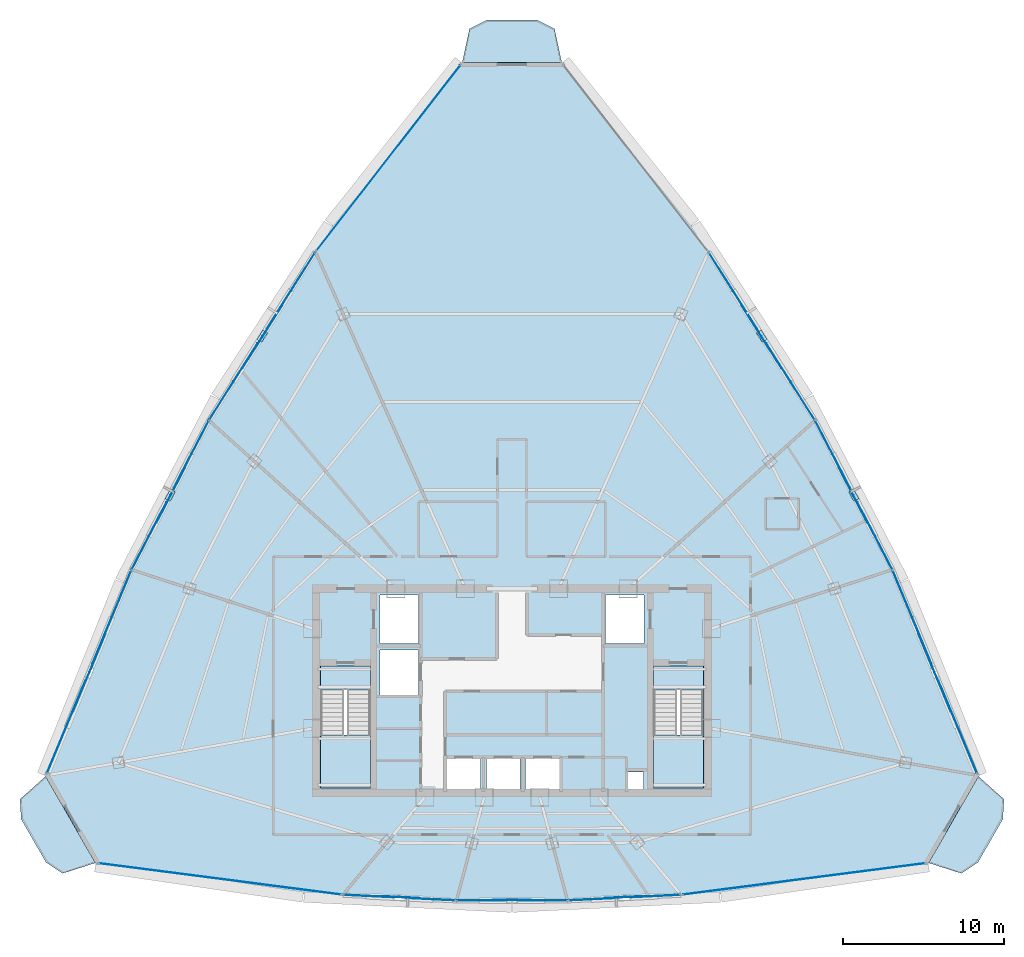
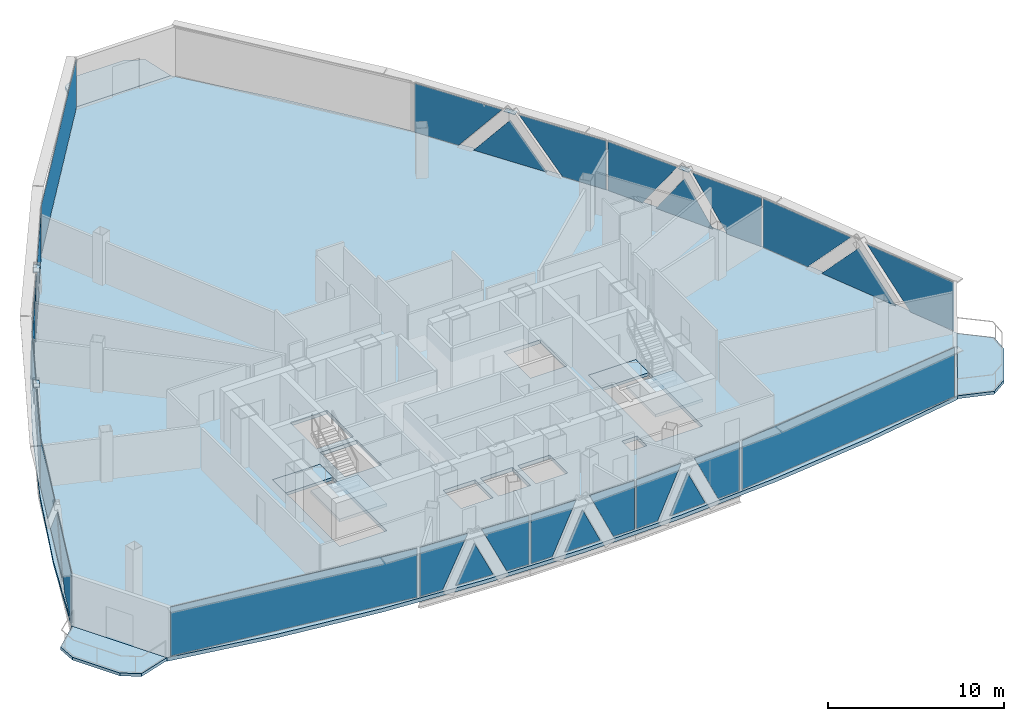
# One storey, part 26 of 33: 34 plates, 8 slabs, 14 elements without a shape of their own.
"""IFC4 building model written with IfcOpenShell, lengths in metres."""

from ifc_helpers import new_model, si_unit, direction, frame, origin, origin_2d, place, context, subcontext, project, spatial, polyline, rectangle, outline, extrude, source, transform, mapped, material, layer, layer_set, type_object, element, aggregate, save


model = new_model("IFC4")

# Units and contexts
model_context = context("Model", 3, precision=1e-05, world=origin(), true_north=direction((0.0, 1.0)))
body_context = subcontext(model_context, "Body", "Model", "MODEL_VIEW")
ifc_project = project(units=[si_unit("LENGTHUNIT", "METRE"), si_unit("AREAUNIT", "SQUARE_METRE"), si_unit("VOLUMEUNIT", "CUBIC_METRE"), si_unit("PLANEANGLEUNIT", "RADIAN"), si_unit("MASSUNIT", "GRAM", prefix="KILO"), si_unit("THERMODYNAMICTEMPERATUREUNIT", "KELVIN"), si_unit("POWERUNIT", "WATT")], contexts=[model_context])

# Site, building, storey
site_placement = place(None, origin())
site = spatial("IfcSite", under=ifc_project, at=site_placement, CompositionType="ELEMENT")
building_placement = place(site_placement, origin())
building = spatial("IfcBuilding", under=site, at=building_placement, Name="Yunzhuo Pagoda Commons", CompositionType="ELEMENT")
storey_placement = place(building_placement, frame((0.0, 0.0, 325.510009765625)))
storey = spatial("IfcBuildingStorey", under=building, at=storey_placement, Name="L81", CompositionType="ELEMENT", Elevation=325.510009765625)

# Curtain wall, plates
ifc_material_1 = material(Name="Anodized aluminium 6063-T6", Category="aluminium")
ifc_layer_1 = layer(ifc_material_1, 0.139892578125)
ifc_layer_set_1 = layer_set([ifc_layer_1], Name="Anodized aluminium 6063-T6")
curtain_wall_type = type_object("IfcCurtainWallType", Name="CW-HI High-Zone Ribbon Curtain Wall", PredefinedType="NOTDEFINED", material=ifc_layer_set_1)
curtain_wall_1_placement = place(storey_placement, origin())
curtain_wall_1 = element("IfcCurtainWall", 1, at=curtain_wall_1_placement, inside=storey, type_object=curtain_wall_type, Name="L81 curtain wall CW-L81-F1B2", PredefinedType="NOTDEFINED")
ifc_material_2 = material(Name="Tempered low-e double glazing", Category="glass")
ifc_layer_2 = layer(ifc_material_2, 0.02587890625)
ifc_layer_set_2 = layer_set([ifc_layer_2], Name="Tempered low-e double glazing")
plate_type_1 = type_object("IfcPlateType", Name="CW-HI-P Low-E Double Glazing 26", PredefinedType="CURTAIN_PANEL", material=ifc_layer_set_2)
plate_1_placement = place(storey_placement, frame((39.05908203125, 21.104736328125, 1.744873046875), z_axis=(-0.049850155702, -0.998756708101, 0.0), x_axis=(0.998756708101, -0.049850155702, 0.0)))
plate_1 = element("IfcPlate", 2, at=plate_1_placement, type_object=plate_type_1, Name="CW panel 1.1 lite 1", PredefinedType="CURTAIN_PANEL", context=body_context, shape_type="SweptSolid", body=[
    extrude(outline(polyline([(-1.514892578125, -1.68994140625), (-0.07861328125, -1.68994140625), (1.514892578125, 1.68994140625), (-1.514892578125, 1.68994140625), (-1.514892578125, -1.68994140625)])), origin(), (0.0, 0.0, 1.0), 0.028076171875),
])
plate_2_placement = place(storey_placement, frame((41.01904296875, 21.037109375, 1.326904296875), z_axis=(-0.049850155702, -0.998756708101, 0.0), x_axis=(0.998756708101, -0.049850155702, 0.0)))
plate_2 = element("IfcPlate", 3, at=plate_2_placement, type_object=plate_type_1, Name="CW panel 1.1 lite 2", PredefinedType="CURTAIN_PANEL", context=body_context, shape_type="SweptSolid", body=[
    extrude(outline(polyline([(-1.19921875, -1.27197265625), (1.19921875, -1.27197265625), (0.0, 1.27197265625), (-1.19921875, -1.27197265625)])), origin(), (0.0, 0.0, 1.0), 0.028076171875),
])
plate_3_placement = place(storey_placement, frame((42.975830078125, 20.909423828125, 1.744873046875), z_axis=(-0.049850155702, -0.998756708101, 0.0), x_axis=(0.998756708101, -0.049850155702, 0.0)))
plate_3 = element("IfcPlate", 4, at=plate_3_placement, type_object=plate_type_1, Name="CW panel 1.1 lite 3", PredefinedType="CURTAIN_PANEL", context=body_context, shape_type="SweptSolid", body=[
    extrude(outline(polyline([(-1.514892578125, 1.68994140625), (0.07861328125, -1.68994140625), (1.514892578125, -1.68994140625), (1.514892578125, 1.68994140625), (-1.514892578125, 1.68994140625)])), origin(), (0.0, 0.0, 1.0), 0.028076171875),
])
aggregate(curtain_wall_1, [plate_1, plate_2, plate_3])

curtain_wall_2_placement = place(storey_placement, origin())
curtain_wall_2 = element("IfcCurtainWall", 5, at=curtain_wall_2_placement, inside=storey, type_object=curtain_wall_type, Name="L81 curtain wall CW-L81-F1B3", PredefinedType="NOTDEFINED")
plate_4_placement = place(storey_placement, frame((46.082275390625, 20.8310546875, 1.744873046875), z_axis=(0.0, -1.0, 0.0), x_axis=(1.0, 0.0, 0.0)))
plate_4 = element("IfcPlate", 6, at=plate_4_placement, type_object=plate_type_1, Name="CW panel 1.1 lite 1", PredefinedType="CURTAIN_PANEL", context=body_context, shape_type="SweptSolid", body=[
    extrude(outline(polyline([(-1.47412109375, -1.68994140625), (-0.08154296875, -1.68994140625), (1.47412109375, 1.68994140625), (-1.47412109375, 1.68994140625), (-1.47412109375, -1.68994140625)])), origin(), (0.0, 0.0, 1.0), 0.028076171875),
])
plate_5_placement = place(storey_placement, frame((48.0, 20.86083984375, 1.31787109375), z_axis=(0.0, -1.0, 0.0), x_axis=(1.0, 0.0, 0.0)))
plate_5 = element("IfcPlate", 7, at=plate_5_placement, type_object=plate_type_1, Name="CW panel 1.1 lite 2", PredefinedType="CURTAIN_PANEL", context=body_context, shape_type="SweptSolid", body=[
    extrude(outline(polyline([(-1.16259765625, -1.262939453125), (1.16259765625, -1.262939453125), (0.0, 1.26318359375), (-1.16259765625, -1.262939453125)])), origin(), (0.0, 0.0, 1.0), 0.028076171875),
])
plate_6_placement = place(storey_placement, frame((49.917724609375, 20.8310546875, 1.744873046875), z_axis=(0.0, -1.0, 0.0), x_axis=(1.0, 0.0, 0.0)))
plate_6 = element("IfcPlate", 8, at=plate_6_placement, type_object=plate_type_1, Name="CW panel 1.1 lite 3", PredefinedType="CURTAIN_PANEL", context=body_context, shape_type="SweptSolid", body=[
    extrude(outline(polyline([(-1.47412109375, 1.68994140625), (0.08154296875, -1.68994140625), (1.47412109375, -1.68994140625), (1.47412109375, 1.68994140625), (-1.47412109375, 1.68994140625)])), origin(), (0.0, 0.0, 1.0), 0.028076171875),
])
aggregate(curtain_wall_2, [plate_4, plate_5, plate_6])

curtain_wall_3_placement = place(storey_placement, origin())
curtain_wall_3 = element("IfcCurtainWall", 9, at=curtain_wall_3_placement, inside=storey, type_object=curtain_wall_type, Name="L81 curtain wall CW-L81-F1B4", PredefinedType="NOTDEFINED")
plate_7_placement = place(storey_placement, frame((53.024169921875, 20.909423828125, 1.744873046875), z_axis=(0.049850155702, -0.998756708101, 0.0), x_axis=(0.998756708101, 0.049850155702, 0.0)))
plate_7 = element("IfcPlate", 10, at=plate_7_placement, type_object=plate_type_1, Name="CW panel 1.1 lite 1", PredefinedType="CURTAIN_PANEL", context=body_context, shape_type="SweptSolid", body=[
    extrude(outline(polyline([(-1.514892578125, -1.68994140625), (-0.07861328125, -1.68994140625), (1.514892578125, 1.68994140625), (-1.514892578125, 1.68994140625), (-1.514892578125, -1.68994140625)])), origin(), (0.0, 0.0, 1.0), 0.028076171875),
])
plate_8_placement = place(storey_placement, frame((54.98095703125, 21.037109375, 1.326904296875), z_axis=(0.049850155702, -0.998756708101, 0.0), x_axis=(0.998756708101, 0.049850155702, 0.0)))
plate_8 = element("IfcPlate", 11, at=plate_8_placement, type_object=plate_type_1, Name="CW panel 1.1 lite 2", PredefinedType="CURTAIN_PANEL", context=body_context, shape_type="SweptSolid", body=[
    extrude(outline(polyline([(-1.19921875, -1.27197265625), (1.19921875, -1.27197265625), (0.0, 1.27197265625), (-1.19921875, -1.27197265625)])), origin(), (0.0, 0.0, 1.0), 0.028076171875),
])
plate_9_placement = place(storey_placement, frame((56.94091796875, 21.104736328125, 1.744873046875), z_axis=(0.049850155702, -0.998756708101, 0.0), x_axis=(0.998756708101, 0.049850155702, 0.0)))
plate_9 = element("IfcPlate", 12, at=plate_9_placement, type_object=plate_type_1, Name="CW panel 1.1 lite 3", PredefinedType="CURTAIN_PANEL", context=body_context, shape_type="SweptSolid", body=[
    extrude(outline(polyline([(-1.514892578125, 1.68994140625), (0.07861328125, -1.68994140625), (1.514892578125, -1.68994140625), (1.514892578125, 1.68994140625), (-1.514892578125, 1.68994140625)])), origin(), (0.0, 0.0, 1.0), 0.028076171875),
])
aggregate(curtain_wall_3, [plate_7, plate_8, plate_9])

curtain_wall_4_placement = place(storey_placement, origin())
curtain_wall_4 = element("IfcCurtainWall", 13, at=curtain_wall_4_placement, inside=storey, type_object=curtain_wall_type, Name="L81 curtain wall CW-L81-F2B2", PredefinedType="NOTDEFINED")
plate_10_placement = place(storey_placement, frame((75.69873046875, 31.612060546875, 1.744873046875), z_axis=(0.923407166951, 0.383821838909, 0.0), x_axis=(-0.383821838909, 0.923407166951, 0.0)))
plate_10 = element("IfcPlate", 14, at=plate_10_placement, type_object=plate_type_1, Name="CW panel 1.1 lite 1", PredefinedType="CURTAIN_PANEL", context=body_context, shape_type="SweptSolid", body=[
    extrude(outline(polyline([(-3.10888671875, -1.68994140625), (-0.001953125, -1.68994140625), (3.10888671875, 1.68994140625), (-3.10888671875, 1.68994140625), (-3.10888671875, -1.68994140625)])), origin(), (0.0, 0.0, 1.0), 0.028076171875),
])
plate_11_placement = place(storey_placement, frame((74.26025390625, 34.99462890625, 1.491943359375), z_axis=(0.923407166951, 0.383821838909, 0.0), x_axis=(-0.383821838909, 0.923407166951, 0.0)))
plate_11 = element("IfcPlate", 15, at=plate_11_placement, type_object=plate_type_1, Name="CW panel 1.1 lite 2", PredefinedType="CURTAIN_PANEL", context=body_context, shape_type="SweptSolid", body=[
    extrude(outline(polyline([(-2.644775390625, -1.43701171875), (2.644775390625, -1.43701171875), (0.0, 1.43701171875), (-2.644775390625, -1.43701171875)])), origin(), (0.0, 0.0, 1.0), 0.028076171875),
])
plate_12_placement = place(storey_placement, frame((72.865966796875, 38.427001953125, 1.744873046875), z_axis=(0.923407166951, 0.383821838909, 0.0), x_axis=(-0.383821838909, 0.923407166951, 0.0)))
plate_12 = element("IfcPlate", 16, at=plate_12_placement, type_object=plate_type_1, Name="CW panel 1.1 lite 3", PredefinedType="CURTAIN_PANEL", context=body_context, shape_type="SweptSolid", body=[
    extrude(outline(polyline([(-3.137451171875, 1.68994140625), (-0.02685546875, -1.68994140625), (3.137451171875, -1.68994140625), (3.137451171875, 1.68994140625), (-3.137451171875, 1.68994140625)])), origin(), (0.0, 0.0, 1.0), 0.028076171875),
])
aggregate(curtain_wall_4, [plate_10, plate_11, plate_12])

curtain_wall_5_placement = place(storey_placement, origin())
curtain_wall_5 = element("IfcCurtainWall", 17, at=curtain_wall_5_placement, inside=storey, type_object=curtain_wall_type, Name="L81 curtain wall CW-L81-F2B3", PredefinedType="NOTDEFINED")
plate_13_placement = place(storey_placement, frame((70.538818359375, 43.503173828125, 1.744873046875), z_axis=(0.88794759819, 0.45994463022, 0.0), x_axis=(-0.45994463022, 0.88794759819, 0.0)))
plate_13 = element("IfcPlate", 18, at=plate_13_placement, type_object=plate_type_1, Name="CW panel 1.1 lite 1", PredefinedType="CURTAIN_PANEL", context=body_context, shape_type="SweptSolid", body=[
    extrude(outline(polyline([(-2.33251953125, -1.68994140625), (-0.02294921875, -1.68994140625), (2.33251953125, 1.68994140625), (-2.33251953125, 1.68994140625), (-2.33251953125, -1.68994140625)])), origin(), (0.0, 0.0, 1.0), 0.028076171875),
])
plate_14_placement = place(storey_placement, frame((69.208740234375, 46.005859375, 1.440185546875), z_axis=(0.88794759819, 0.45994463022, 0.0), x_axis=(-0.45994463022, 0.88794759819, 0.0)))
plate_14 = element("IfcPlate", 19, at=plate_14_placement, type_object=plate_type_1, Name="CW panel 1.1 lite 2", PredefinedType="CURTAIN_PANEL", context=body_context, shape_type="SweptSolid", body=[
    extrude(outline(polyline([(-1.9306640625, -1.38525390625), (1.9306640625, -1.38525390625), (0.0, 1.38525390625), (-1.9306640625, -1.38525390625)])), origin(), (0.0, 0.0, 1.0), 0.028076171875),
])
plate_15_placement = place(storey_placement, frame((67.931640625, 48.5361328125, 1.744873046875), z_axis=(0.88794759819, 0.45994463022, 0.0), x_axis=(-0.45994463022, 0.88794759819, 0.0)))
plate_15 = element("IfcPlate", 20, at=plate_15_placement, type_object=plate_type_1, Name="CW panel 1.1 lite 3", PredefinedType="CURTAIN_PANEL", context=body_context, shape_type="SweptSolid", body=[
    extrude(outline(polyline([(-2.33251953125, 1.68994140625), (0.02294921875, -1.68994140625), (2.33251953125, -1.68994140625), (2.33251953125, 1.68994140625), (-2.33251953125, 1.68994140625)])), origin(), (0.0, 0.0, 1.0), 0.028076171875),
])
aggregate(curtain_wall_5, [plate_13, plate_14, plate_15])

curtain_wall_6_placement = place(storey_placement, origin())
curtain_wall_6 = element("IfcCurtainWall", 21, at=curtain_wall_6_placement, inside=storey, type_object=curtain_wall_type, Name="L81 curtain wall CW-L81-F2B4", PredefinedType="NOTDEFINED")
plate_16_placement = place(storey_placement, frame((65.30322265625, 53.076171875, 1.744873046875), z_axis=(0.845148830397, 0.534531060349, 0.0), x_axis=(-0.534531060349, 0.845148830397, 0.0)))
plate_16 = element("IfcPlate", 22, at=plate_16_placement, type_object=plate_type_1, Name="CW panel 1.1 lite 1", PredefinedType="CURTAIN_PANEL", context=body_context, shape_type="SweptSolid", body=[
    extrude(outline(polyline([(-2.799560546875, -1.68994140625), (0.006591796875, -1.68994140625), (2.799560546875, 1.68994140625), (-2.799560546875, 1.68994140625), (-2.799560546875, -1.68994140625)])), origin(), (0.0, 0.0, 1.0), 0.028076171875),
])
plate_17_placement = place(storey_placement, frame((63.49365234375, 55.88134765625, 1.47412109375), z_axis=(0.845148830397, 0.534531060349, 0.0), x_axis=(-0.534531060349, 0.845148830397, 0.0)))
plate_17 = element("IfcPlate", 23, at=plate_17_placement, type_object=plate_type_1, Name="CW panel 1.1 lite 2", PredefinedType="CURTAIN_PANEL", context=body_context, shape_type="SweptSolid", body=[
    extrude(outline(polyline([(-2.345458984375, -1.419189453125), (2.345458984375, -1.419189453125), (0.0, 1.419189453125), (-2.345458984375, -1.419189453125)])), origin(), (0.0, 0.0, 1.0), 0.028076171875),
])
plate_18_placement = place(storey_placement, frame((61.734619140625, 58.71826171875, 1.744873046875), z_axis=(0.845148830397, 0.534531060349, 0.0), x_axis=(-0.534531060349, 0.845148830397, 0.0)))
plate_18 = element("IfcPlate", 24, at=plate_18_placement, type_object=plate_type_1, Name="CW panel 1.1 lite 3", PredefinedType="CURTAIN_PANEL", context=body_context, shape_type="SweptSolid", body=[
    extrude(outline(polyline([(-2.799560546875, 1.68994140625), (-0.006591796875, -1.68994140625), (2.799560546875, -1.68994140625), (2.799560546875, 1.68994140625), (-2.799560546875, 1.68994140625)])), origin(), (0.0, 0.0, 1.0), 0.028076171875),
])
aggregate(curtain_wall_6, [plate_16, plate_17, plate_18])

curtain_wall_7_placement = place(storey_placement, origin())
curtain_wall_7 = element("IfcCurtainWall", 25, at=curtain_wall_7_placement, inside=storey, type_object=curtain_wall_type, Name="L81 curtain wall CW-L81-F3B2", PredefinedType="NOTDEFINED")
plate_19_placement = place(storey_placement, frame((34.265380859375, 58.71826171875, 1.744873046875), z_axis=(-0.845148830397, 0.534531060349, 0.0), x_axis=(-0.534531060349, -0.845148830397, 0.0)))
plate_19 = element("IfcPlate", 26, at=plate_19_placement, type_object=plate_type_1, Name="CW panel 1.1 lite 1", PredefinedType="CURTAIN_PANEL", context=body_context, shape_type="SweptSolid", body=[
    extrude(outline(polyline([(-2.799560546875, -1.68994140625), (0.006591796875, -1.68994140625), (2.799560546875, 1.68994140625), (-2.799560546875, 1.68994140625), (-2.799560546875, -1.68994140625)])), origin(), (0.0, 0.0, 1.0), 0.028076171875),
])
plate_20_placement = place(storey_placement, frame((32.50634765625, 55.88134765625, 1.47412109375), z_axis=(-0.845148830397, 0.534531060349, 0.0), x_axis=(-0.534531060349, -0.845148830397, 0.0)))
plate_20 = element("IfcPlate", 27, at=plate_20_placement, type_object=plate_type_1, Name="CW panel 1.1 lite 2", PredefinedType="CURTAIN_PANEL", context=body_context, shape_type="SweptSolid", body=[
    extrude(outline(polyline([(-2.345458984375, -1.419189453125), (2.345458984375, -1.419189453125), (0.0, 1.419189453125), (-2.345458984375, -1.419189453125)])), origin(), (0.0, 0.0, 1.0), 0.028076171875),
])
plate_21_placement = place(storey_placement, frame((30.69677734375, 53.076171875, 1.744873046875), z_axis=(-0.845148830397, 0.534531060349, 0.0), x_axis=(-0.534531060349, -0.845148830397, 0.0)))
plate_21 = element("IfcPlate", 28, at=plate_21_placement, type_object=plate_type_1, Name="CW panel 1.1 lite 3", PredefinedType="CURTAIN_PANEL", context=body_context, shape_type="SweptSolid", body=[
    extrude(outline(polyline([(-2.799560546875, 1.68994140625), (-0.006591796875, -1.68994140625), (2.799560546875, -1.68994140625), (2.799560546875, 1.68994140625), (-2.799560546875, 1.68994140625)])), origin(), (0.0, 0.0, 1.0), 0.028076171875),
])
aggregate(curtain_wall_7, [plate_19, plate_20, plate_21])

curtain_wall_8_placement = place(storey_placement, origin())
curtain_wall_8 = element("IfcCurtainWall", 29, at=curtain_wall_8_placement, inside=storey, type_object=curtain_wall_type, Name="L81 curtain wall CW-L81-F3B3", PredefinedType="NOTDEFINED")
plate_22_placement = place(storey_placement, frame((28.068359375, 48.5361328125, 1.744873046875), z_axis=(-0.88794759819, 0.45994463022, 0.0), x_axis=(-0.45994463022, -0.88794759819, 0.0)))
plate_22 = element("IfcPlate", 30, at=plate_22_placement, type_object=plate_type_1, Name="CW panel 1.1 lite 1", PredefinedType="CURTAIN_PANEL", context=body_context, shape_type="SweptSolid", body=[
    extrude(outline(polyline([(-2.33251953125, -1.68994140625), (-0.02294921875, -1.68994140625), (2.33251953125, 1.68994140625), (-2.33251953125, 1.68994140625), (-2.33251953125, -1.68994140625)])), origin(), (0.0, 0.0, 1.0), 0.028076171875),
])
plate_23_placement = place(storey_placement, frame((26.791259765625, 46.005859375, 1.440185546875), z_axis=(-0.88794759819, 0.45994463022, 0.0), x_axis=(-0.45994463022, -0.88794759819, 0.0)))
plate_23 = element("IfcPlate", 31, at=plate_23_placement, type_object=plate_type_1, Name="CW panel 1.1 lite 2", PredefinedType="CURTAIN_PANEL", context=body_context, shape_type="SweptSolid", body=[
    extrude(outline(polyline([(-1.9306640625, -1.38525390625), (1.9306640625, -1.38525390625), (0.0, 1.38525390625), (-1.9306640625, -1.38525390625)])), origin(), (0.0, 0.0, 1.0), 0.028076171875),
])
plate_24_placement = place(storey_placement, frame((25.461181640625, 43.503173828125, 1.744873046875), z_axis=(-0.88794759819, 0.45994463022, 0.0), x_axis=(-0.45994463022, -0.88794759819, 0.0)))
plate_24 = element("IfcPlate", 32, at=plate_24_placement, type_object=plate_type_1, Name="CW panel 1.1 lite 3", PredefinedType="CURTAIN_PANEL", context=body_context, shape_type="SweptSolid", body=[
    extrude(outline(polyline([(-2.33251953125, 1.68994140625), (0.02294921875, -1.68994140625), (2.33251953125, -1.68994140625), (2.33251953125, 1.68994140625), (-2.33251953125, 1.68994140625)])), origin(), (0.0, 0.0, 1.0), 0.028076171875),
])
aggregate(curtain_wall_8, [plate_22, plate_23, plate_24])

curtain_wall_9_placement = place(storey_placement, origin())
curtain_wall_9 = element("IfcCurtainWall", 33, at=curtain_wall_9_placement, inside=storey, type_object=curtain_wall_type, Name="L81 curtain wall CW-L81-F3B4", PredefinedType="NOTDEFINED")
plate_25_placement = place(storey_placement, frame((23.134033203125, 38.427001953125, 1.744873046875), z_axis=(-0.923407166951, 0.383821838909, 0.0), x_axis=(-0.383821838909, -0.923407166951, 0.0)))
plate_25 = element("IfcPlate", 34, at=plate_25_placement, type_object=plate_type_1, Name="CW panel 1.1 lite 1", PredefinedType="CURTAIN_PANEL", context=body_context, shape_type="SweptSolid", body=[
    extrude(outline(polyline([(-3.137451171875, -1.68994140625), (0.02685546875, -1.68994140625), (3.137451171875, 1.68994140625), (-3.137451171875, 1.68994140625), (-3.137451171875, -1.68994140625)])), origin(), (0.0, 0.0, 1.0), 0.028076171875),
])
plate_26_placement = place(storey_placement, frame((21.73974609375, 34.99462890625, 1.491943359375), z_axis=(-0.923407166951, 0.383821838909, 0.0), x_axis=(-0.383821838909, -0.923407166951, 0.0)))
plate_26 = element("IfcPlate", 35, at=plate_26_placement, type_object=plate_type_1, Name="CW panel 1.1 lite 2", PredefinedType="CURTAIN_PANEL", context=body_context, shape_type="SweptSolid", body=[
    extrude(outline(polyline([(-2.644775390625, -1.43701171875), (2.644775390625, -1.43701171875), (0.0, 1.43701171875), (-2.644775390625, -1.43701171875)])), origin(), (0.0, 0.0, 1.0), 0.028076171875),
])
plate_27_placement = place(storey_placement, frame((20.30126953125, 31.612060546875, 1.744873046875), z_axis=(-0.923407166951, 0.383821838909, 0.0), x_axis=(-0.383821838909, -0.923407166951, 0.0)))
plate_27 = element("IfcPlate", 36, at=plate_27_placement, type_object=plate_type_1, Name="CW panel 1.1 lite 3", PredefinedType="CURTAIN_PANEL", context=body_context, shape_type="SweptSolid", body=[
    extrude(outline(polyline([(-3.10888671875, 1.68994140625), (0.001953125, -1.68994140625), (3.10888671875, -1.68994140625), (3.10888671875, 1.68994140625), (-3.10888671875, 1.68994140625)])), origin(), (0.0, 0.0, 1.0), 0.028076171875),
])
aggregate(curtain_wall_9, [plate_25, plate_26, plate_27])

# Slabs
ifc_material_3 = material(Name="Concrete C40", Category="concrete")
ifc_layer_3 = layer(ifc_material_3, 0.199951171875)
ifc_layer_set_3 = layer_set([ifc_layer_3], Name="Concrete C40")
slab_type_1 = type_object("IfcSlabType", Name="SL-BAL Vertex Balcony Deck Slab 200", PredefinedType="FLOOR", material=ifc_layer_set_3)
slab_1_placement = place(storey_placement, frame((0.0, 0.0, -0.199951171875)))
element("IfcSlab", 37, at=slab_1_placement, inside=storey, type_object=slab_type_1, Name="L81 corner balcony V1", PredefinedType="FLOOR", context=body_context, shape_type="SweptSolid", body=[
    extrude(outline(polyline([(19.00244140625, 28.541748046875), (22.095947265625, 23.15380859375), (20.054931640625, 22.5009765625), (19.02880859375, 23.183837890625), (17.48193359375, 25.877685546875), (17.40966796875, 27.1083984375), (19.00244140625, 28.541748046875)])), origin(), (0.0, 0.0, 1.0), 0.199951171875),
])
slab_2_placement = place(storey_placement, frame((0.0, 0.0, -0.199951171875)))
element("IfcSlab", 38, at=slab_2_placement, inside=storey, type_object=slab_type_1, Name="L81 corner balcony V2", PredefinedType="FLOOR", context=body_context, shape_type="SweptSolid", body=[
    extrude(outline(polyline([(73.904052734375, 23.15380859375), (76.99755859375, 28.541748046875), (78.59033203125, 27.1083984375), (78.51806640625, 25.877685546875), (76.97119140625, 23.183837890625), (75.945068359375, 22.5009765625), (73.904052734375, 23.15380859375)])), origin(), (0.0, 0.0, 1.0), 0.199951171875),
])
slab_3_placement = place(storey_placement, frame((0.0, 0.0, -0.199951171875)))
element("IfcSlab", 39, at=slab_3_placement, inside=storey, type_object=slab_type_1, Name="L81 corner balcony V3", PredefinedType="FLOOR", context=body_context, shape_type="SweptSolid", body=[
    extrude(outline(polyline([(51.093505859375, 72.918212890625), (44.906494140625, 72.918212890625), (45.3564453125, 75.01318359375), (46.453125, 75.563232421875), (49.546875, 75.563232421875), (50.6435546875, 75.01318359375), (51.093505859375, 72.918212890625)])), origin(), (0.0, 0.0, 1.0), 0.199951171875),
])

# Stair, slabs
stair_type_1 = type_object("IfcStairType", Name="ST-C1 Core Smokeproof Stair ST1", PredefinedType="HALF_TURN_STAIR", material=ifc_material_3)
stair_1_placement = place(storey_placement, origin())
stair_1 = element("IfcStair", 40, at=stair_1_placement, inside=storey, type_object=stair_type_1, Name="L81 Core smokeproof stair ST1", PredefinedType="HALF_TURN_STAIR")
ifc_layer_4 = layer(ifc_material_3, 0.199951171875)
ifc_layer_set_4 = layer_set([ifc_layer_4], Name="Concrete C40")
slab_type_2 = type_object("IfcSlabType", Name="SL-LND1 Stair Landing Slab 200", PredefinedType="LANDING", material=ifc_layer_set_4)
slab_4_placement = place(storey_placement, frame((0.0, 0.0, 1.675048828125)))
slab_4 = element("IfcSlab", 41, at=slab_4_placement, type_object=slab_type_2, Name="ST1 landing 1", PredefinedType="LANDING", context=body_context, shape_type="SweptSolid", body=[
    extrude(outline(polyline([(36.10009765625, 31.10009765625), (36.10009765625, 27.800048828125), (39.199951171875, 27.800048828125), (39.199951171875, 31.10009765625), (36.10009765625, 31.10009765625)])), origin(), (0.0, 0.0, 1.0), 0.199951171875),
])
slab_5_placement = place(storey_placement, frame((0.0, 0.0, -0.199951171875)))
slab_5 = element("IfcSlab", 42, at=slab_5_placement, type_object=slab_type_2, Name="ST1 floor landing L81", PredefinedType="LANDING", context=body_context, shape_type="SweptSolid", body=[
    extrude(outline(polyline([(36.10009765625, 35.39990234375), (36.10009765625, 33.89990234375), (39.199951171875, 33.89990234375), (39.199951171875, 35.39990234375), (36.10009765625, 35.39990234375)])), origin(), (0.0, 0.0, 1.0), 0.199951171875),
])
aggregate(stair_1, [slab_4, slab_5])

stair_type_2 = type_object("IfcStairType", Name="ST-C2 Core Smokeproof Stair ST2", PredefinedType="HALF_TURN_STAIR", material=ifc_material_3)
stair_2_placement = place(storey_placement, origin())
stair_2 = element("IfcStair", 43, at=stair_2_placement, inside=storey, type_object=stair_type_2, Name="L81 Core smokeproof stair ST2", PredefinedType="HALF_TURN_STAIR")
ifc_layer_5 = layer(ifc_material_3, 0.201904296875)
ifc_layer_set_5 = layer_set([ifc_layer_5], Name="Concrete C40")
slab_type_3 = type_object("IfcSlabType", Name="SL-LND2 Stair Landing Slab 202", PredefinedType="LANDING", material=ifc_layer_set_5)
slab_6_placement = place(storey_placement, frame((0.0, 0.0, 1.675048828125)))
slab_6 = element("IfcSlab", 44, at=slab_6_placement, type_object=slab_type_3, Name="ST2 landing 1", PredefinedType="LANDING", context=body_context, shape_type="SweptSolid", body=[
    extrude(outline(polyline([(56.800048828125, 31.10009765625), (56.800048828125, 27.800048828125), (59.89990234375, 27.800048828125), (59.89990234375, 31.10009765625), (56.800048828125, 31.10009765625)])), origin(), (0.0, 0.0, 1.0), 0.199951171875),
])
slab_7_placement = place(storey_placement, frame((0.0, 0.0, -0.199951171875)))
slab_7 = element("IfcSlab", 45, at=slab_7_placement, type_object=slab_type_3, Name="ST2 floor landing L81", PredefinedType="LANDING", context=body_context, shape_type="SweptSolid", body=[
    extrude(outline(polyline([(56.800048828125, 35.39990234375), (56.800048828125, 33.89990234375), (59.89990234375, 33.89990234375), (59.89990234375, 35.39990234375), (56.800048828125, 35.39990234375)])), origin(), (0.0, 0.0, 1.0), 0.199951171875),
])
aggregate(stair_2, [slab_6, slab_7])

# Slab
ifc_layer_6 = layer(ifc_material_3, 0.260009765625)
ifc_layer_set_6 = layer_set([ifc_layer_6], Name="Concrete C40")
slab_type_4 = type_object("IfcSlabType", Name="SL-TWR Typical Tower Floor Slab 260", PredefinedType="FLOOR", material=ifc_layer_set_6)
slab_8_placement = place(storey_placement, frame((0.0, 0.0, -0.260009765625)))
element("IfcSlab", 46, at=slab_8_placement, inside=storey, type_object=slab_type_4, Name="L81 structural floor slab", PredefinedType="FLOOR", context=body_context, shape_type="SweptSolid", body=[
    extrude(outline(polyline([(21.291748046875, 34.646240234375), (23.84912109375, 40.589599609375), (26.67822265625, 46.373779296875), (29.77978515625, 51.99951171875), (33.1533203125, 57.46630859375), (36.798828125, 62.774169921875), (40.716552734375, 67.923095703125), (44.906494140625, 72.913330078125), (51.093505859375, 72.913330078125), (55.283447265625, 67.923095703125), (59.201171875, 62.774169921875), (62.8466796875, 57.46630859375), (66.22021484375, 51.99951171875), (69.32177734375, 46.373779296875), (72.15087890625, 40.589599609375), (74.708251953125, 34.646240234375), (76.993408203125, 28.544189453125), (73.89990234375, 23.156494140625), (67.4248046875, 22.0537109375), (60.949951171875, 21.265869140625), (54.474853515625, 20.793212890625), (48.0, 20.6357421875), (41.525146484375, 20.793212890625), (35.050048828125, 21.265869140625), (28.5751953125, 22.0537109375), (22.10009765625, 23.156494140625), (19.006591796875, 28.544189453125), (21.291748046875, 34.646240234375)]), holes=[polyline([(56.179931640625, 28.800048828125), (55.179931640625, 28.800048828125), (55.179931640625, 27.699951171875), (56.179931640625, 27.699951171875), (56.179931640625, 28.800048828125)]), polyline([(46.050048828125, 29.64990234375), (43.949951171875, 29.64990234375), (43.949951171875, 27.60009765625), (46.050048828125, 27.60009765625), (46.050048828125, 29.64990234375)]), polyline([(48.5, 29.64990234375), (46.39990234375, 29.64990234375), (46.39990234375, 27.60009765625), (48.5, 27.60009765625), (48.5, 29.64990234375)]), polyline([(50.949951171875, 29.64990234375), (48.85009765625, 29.64990234375), (48.85009765625, 27.60009765625), (50.949951171875, 27.60009765625), (50.949951171875, 29.64990234375)]), polyline([(39.199951171875, 27.800048828125), (39.199951171875, 35.39990234375), (36.10009765625, 35.39990234375), (36.10009765625, 27.800048828125), (39.199951171875, 27.800048828125)]), polyline([(59.89990234375, 27.800048828125), (59.89990234375, 35.39990234375), (56.800048828125, 35.39990234375), (56.800048828125, 27.800048828125), (59.89990234375, 27.800048828125)]), polyline([(42.199951171875, 36.39990234375), (39.800048828125, 36.39990234375), (39.800048828125, 33.60009765625), (42.199951171875, 33.60009765625), (42.199951171875, 36.39990234375)]), polyline([(42.199951171875, 36.800048828125), (42.199951171875, 39.800048828125), (39.800048828125, 39.800048828125), (39.800048828125, 36.800048828125), (42.199951171875, 36.800048828125)]), polyline([(56.199951171875, 36.800048828125), (56.199951171875, 39.800048828125), (53.800048828125, 39.800048828125), (53.800048828125, 36.800048828125), (56.199951171875, 36.800048828125)])]), origin(), (0.0, 0.0, 1.0), 0.260009765625),
])

# Plates
ifc_material_4 = material(Name="Structural steel Q355B", Category="steel")
ifc_layer_7 = layer(ifc_material_4, 0.028076171875)
ifc_layer_set_7 = layer_set([ifc_layer_7], Name="Structural steel Q355B")
plate_type_2 = type_object("IfcPlateType", Name="SP-ND1 Lattice Node Cap Plate 800x500x28", PredefinedType="USERDEFINED", material=ifc_layer_set_7)
shared_shape_1 = source(origin(), body_context, "Body", "SweptSolid", [
    extrude(rectangle(XDim=0.699951171875, YDim=0.35009765625, at=origin_2d()), origin(), (0.0, 0.0, 1.0), 0.035888671875),
])
for number, where, z_axis, x_axis, name in (
    (47, (69.247802734375, 46.02587890625, 3.4521484375), (0.0, 0.0, 1.0), (-0.459951842017, 0.887943862541, 0.0), "L81 setback lattice tie plate F2.2L"),
    (48, (63.531005859375, 55.90478515625, 3.4521484375), (0.0, 0.0, 1.0), (-0.534529368893, 0.84514990019, 0.0), "L81 setback lattice tie plate F2.3L"),
    (49, (32.468994140625, 55.90478515625, 3.4521484375), (0.0, 0.0, 1.0), (-0.534529368893, -0.84514990019, 0.0), "L81 setback lattice tie plate F3.1L"),
    (50, (26.752197265625, 46.02587890625, 3.4521484375), (0.0, 0.0, 1.0), (-0.459951842017, -0.887943862541, 0.0), "L81 setback lattice tie plate F3.2L"),
):
    element("IfcPlate", number, at=place(storey_placement, frame(where, z_axis=z_axis, x_axis=x_axis)), inside=storey, type_object=plate_type_2, Name=name, ObjectType="STIFFENER_PLATE", PredefinedType="USERDEFINED", context=body_context, shape_type="MappedRepresentation", body=[
        mapped(shared_shape_1, transform((0.0, 0.0, 0.0), scale=1.0)),
    ])

# Curtain wall, plate
curtain_wall_10_placement = place(storey_placement, origin())
curtain_wall_10 = element("IfcCurtainWall", 51, at=curtain_wall_10_placement, inside=storey, type_object=curtain_wall_type, Name="L81 curtain wall CW-L81-F1B1", PredefinedType="NOTDEFINED")
shared_shape_2 = source(origin(), body_context, "Body", "SweptSolid", [
    extrude(rectangle(XDim=15.1572265625, YDim=0.028076171875, at=origin_2d()), origin(), (0.0, 0.0, 1.0), 3.3798828125),
])
plate_28_placement = place(storey_placement, frame((29.835693359375, 22.158935546875, 0.054931640625), z_axis=(0.0, 0.0, 1.0), x_axis=(0.991738505453, -0.128276018031, 0.0)))
plate_28 = element("IfcPlate", 52, at=plate_28_placement, type_object=plate_type_1, Name="CW panel 1.1", PredefinedType="CURTAIN_PANEL", context=body_context, shape_type="MappedRepresentation", body=[
    mapped(shared_shape_2, transform((0.0, 0.0, 0.0), scale=1.0)),
])
aggregate(curtain_wall_10, [plate_28])

curtain_wall_11_placement = place(storey_placement, origin())
curtain_wall_11 = element("IfcCurtainWall", 53, at=curtain_wall_11_placement, inside=storey, type_object=curtain_wall_type, Name="L81 curtain wall CW-L81-F1B5", PredefinedType="NOTDEFINED")
plate_29_placement = place(storey_placement, frame((66.164306640625, 22.158935546875, 0.054931640625), z_axis=(0.0, 0.0, 1.0), x_axis=(0.991738505453, 0.128276018031, 0.0)))
plate_29 = element("IfcPlate", 54, at=plate_29_placement, type_object=plate_type_1, Name="CW panel 1.1", PredefinedType="CURTAIN_PANEL", context=body_context, shape_type="MappedRepresentation", body=[
    mapped(shared_shape_2, transform((0.0, 0.0, 0.0), scale=1.0)),
])
aggregate(curtain_wall_11, [plate_29])

curtain_wall_12_placement = place(storey_placement, origin())
curtain_wall_12 = element("IfcCurtainWall", 55, at=curtain_wall_12_placement, inside=storey, type_object=curtain_wall_type, Name="L81 curtain wall CW-L81-F3B1", PredefinedType="NOTDEFINED")
shared_shape_3 = source(origin(), body_context, "Body", "SweptSolid", [
    extrude(rectangle(XDim=14.537353515625, YDim=0.028076171875, at=origin_2d()), origin(), (0.0, 0.0, 1.0), 3.3798828125),
])
plate_30_placement = place(storey_placement, frame((40.319580078125, 66.99267578125, 0.054931640625), z_axis=(0.0, 0.0, 1.0), x_axis=(-0.612917502921, -0.790146906982, 0.0)))
plate_30 = element("IfcPlate", 56, at=plate_30_placement, type_object=plate_type_1, Name="CW panel 1.1", PredefinedType="CURTAIN_PANEL", context=body_context, shape_type="MappedRepresentation", body=[
    mapped(shared_shape_3, transform((0.0, 0.0, 0.0), scale=1.0)),
])
aggregate(curtain_wall_12, [plate_30])

save(model, "model.ifc")
